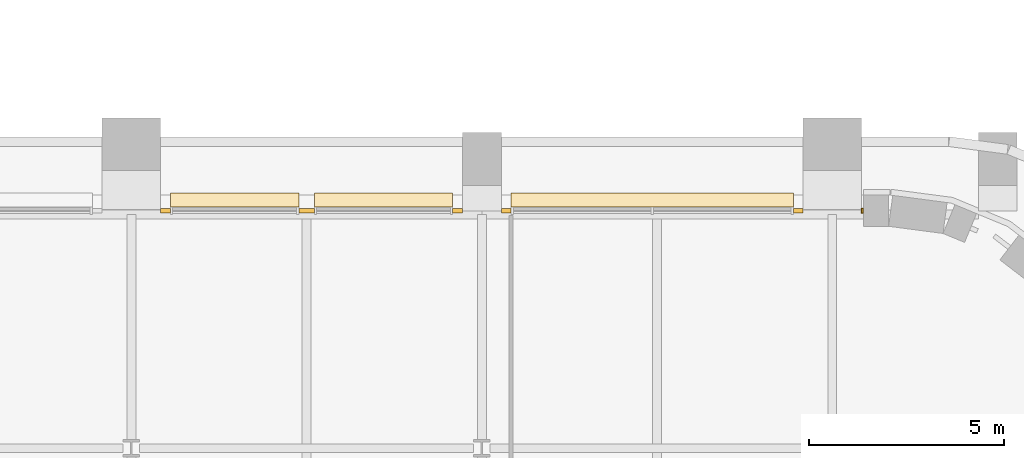
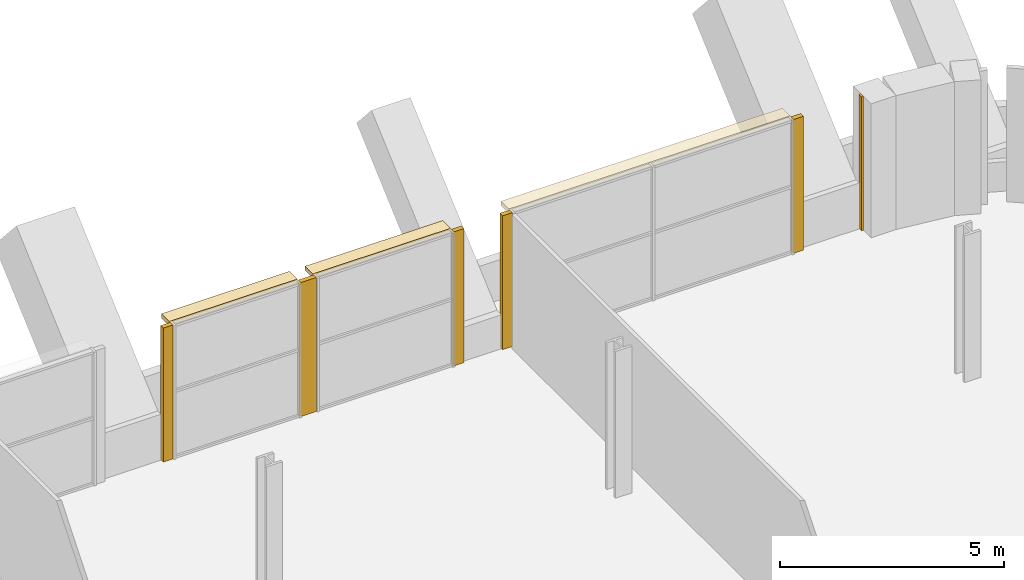
# One storey, part 24 of 26: 9 coverings.
"""IFC4 building model written with IfcOpenShell, lengths in metres."""

from ifc_helpers import new_model, si_unit, direction, frame, origin, origin_2d, place, context, subcontext, project, spatial, polyline, rectangle, outline, extrude, material, layer, layer_set, type_object, element, save


model = new_model("IFC4")

# Units and contexts
model_context = context("Model", 3, precision=1e-05, world=origin(), true_north=direction((0.0, 1.0)))
body_context = subcontext(model_context, "Body", "Model", "MODEL_VIEW")
ifc_project = project(units=[si_unit("LENGTHUNIT", "METRE"), si_unit("AREAUNIT", "SQUARE_METRE"), si_unit("VOLUMEUNIT", "CUBIC_METRE"), si_unit("PLANEANGLEUNIT", "RADIAN"), si_unit("MASSUNIT", "GRAM", prefix="KILO")], contexts=[model_context])

# Site, building, storey
site_placement = place(None, origin())
site = spatial("IfcSite", under=ifc_project, at=site_placement, CompositionType="ELEMENT")
building_placement = place(site_placement, origin())
building = spatial("IfcBuilding", under=site, at=building_placement, Name="Zellij Exchange Tower", CompositionType="ELEMENT")
storey_placement = place(building_placement, frame((0.0, 0.0, 156.5)))
storey = spatial("IfcBuildingStorey", under=building, at=storey_placement, Name="L35", CompositionType="ELEMENT", Elevation=156.5)

# Coverings
ifc_material_1 = material(Name="Limestone cladding", Category="masonry")
ifc_layer_1 = layer(ifc_material_1, 0.1201171875)
ifc_layer_set_1 = layer_set([ifc_layer_1], Name="Limestone cladding")
covering_type_1 = type_object("IfcCoveringType", Name="ENV-CV18 Glazing closer 120", PredefinedType="CLADDING", material=ifc_layer_set_1)
covering_1_placement = place(storey_placement, frame((13.5, 20.10009765625, 0.0), z_axis=(0.0, 0.0, 1.0), x_axis=(-1.0, 0.0, 0.0)))
element("IfcCovering", 1, at=covering_1_placement, inside=storey, type_object=covering_type_1, Name="Glazing closer", PredefinedType="CLADDING", context=body_context, shape_type="SweptSolid", body=[
    extrude(rectangle(XDim=0.39990234375, YDim=0.1201171875, at=origin_2d()), origin(), (0.0, 0.0, 1.0), 3.64990234375),
])
for number, where, z_axis, x_axis, name in (
    (2, (26.125, 20.10009765625, 0.0), (0.0, 0.0, 1.0), (1.0, 0.0, 0.0), "Glazing closer"),
    (3, (18.625, 20.10009765625, 0.0), (0.0, 0.0, 1.0), (-1.0, 0.0, 0.0), "Glazing closer"),
    (4, (17.375, 20.10009765625, 0.0), (0.0, 0.0, 1.0), (1.0, 0.0, 0.0), "Glazing closer"),
    (5, (9.875, 20.10009765625, 0.0), (0.0, 0.0, 1.0), (-1.0, 0.0, 0.0), "Glazing closer"),
):
    element("IfcCovering", number, at=place(storey_placement, frame(where, z_axis=z_axis, x_axis=x_axis)), inside=storey, type_object=covering_type_1, Name=name, PredefinedType="CLADDING", context=body_context, shape_type="SweptSolid", body=[
        extrude(rectangle(XDim=0.25, YDim=0.1201171875, at=origin_2d()), origin(), (0.0, 0.0, 1.0), 3.64990234375),
    ])
covering_2_placement = place(storey_placement, frame((27.77490234375, 20.10009765625, 0.0), z_axis=(0.0, 0.0, 1.0), x_axis=(-1.0, 0.0, 0.0)))
element("IfcCovering", 6, at=covering_2_placement, inside=storey, type_object=covering_type_1, Name="Glazing closer", PredefinedType="CLADDING", context=body_context, shape_type="SweptSolid", body=[
    extrude(rectangle(XDim=0.050048828125, YDim=0.1201171875, at=origin_2d()), origin(), (0.0, 0.0, 1.0), 3.64990234375),
])
ifc_material_2 = material(Name="Limestone sunshade", Category="masonry")
ifc_layer_2 = layer(ifc_material_2, 0.1201171875)
ifc_layer_set_2 = layer_set([ifc_layer_2], Name="Limestone sunshade")
covering_type_2 = type_object("IfcCoveringType", Name="ENV-SC2 Stone sunshade 120", PredefinedType="USERDEFINED", material=ifc_layer_set_2)
covering_3_placement = place(storey_placement, frame((0.0, 0.0, 3.530029296875)))
element("IfcCovering", 7, at=covering_3_placement, inside=storey, type_object=covering_type_2, Name="Stone sunshade", ObjectType="SUNSHADE", PredefinedType="USERDEFINED", context=body_context, shape_type="SweptSolid", body=[
    extrude(outline(polyline([(26.0, 20.199951171875), (18.75, 20.199951171875), (18.75, 20.550048828125), (26.0, 20.550048828125), (26.0, 20.199951171875)])), origin(), (0.0, 0.0, 1.0), 0.119873046875),
])
covering_4_placement = place(storey_placement, frame((0.0, 0.0, 3.530029296875)))
element("IfcCovering", 8, at=covering_4_placement, inside=storey, type_object=covering_type_2, Name="Stone sunshade", ObjectType="SUNSHADE", PredefinedType="USERDEFINED", context=body_context, shape_type="SweptSolid", body=[
    extrude(outline(polyline([(17.25, 20.199951171875), (13.699951171875, 20.199951171875), (13.699951171875, 20.550048828125), (17.25, 20.550048828125), (17.25, 20.199951171875)])), origin(), (0.0, 0.0, 1.0), 0.119873046875),
])
covering_5_placement = place(storey_placement, frame((0.0, 0.0, 3.530029296875)))
element("IfcCovering", 9, at=covering_5_placement, inside=storey, type_object=covering_type_2, Name="Stone sunshade", ObjectType="SUNSHADE", PredefinedType="USERDEFINED", context=body_context, shape_type="SweptSolid", body=[
    extrude(outline(polyline([(13.300048828125, 20.199951171875), (10.0, 20.199951171875), (10.0, 20.550048828125), (13.300048828125, 20.550048828125), (13.300048828125, 20.199951171875)])), origin(), (0.0, 0.0, 1.0), 0.119873046875),
])

save(model, "model.ifc")
